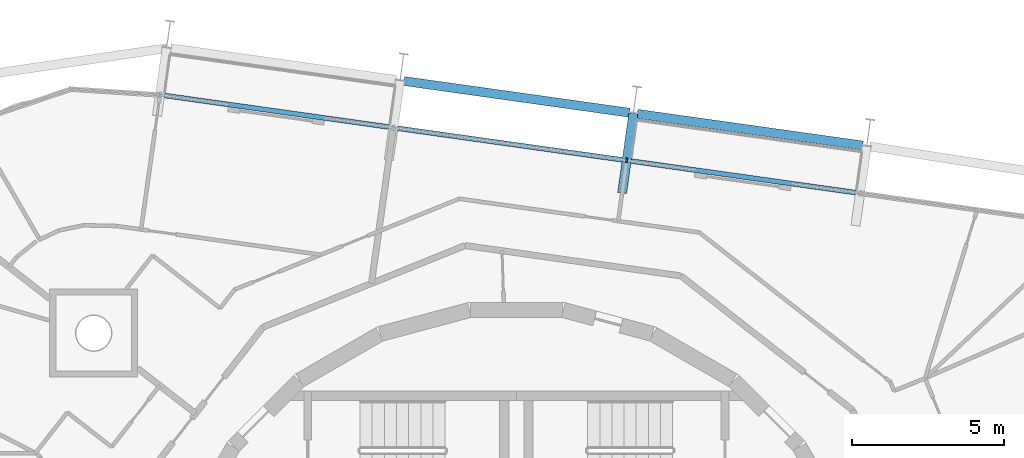
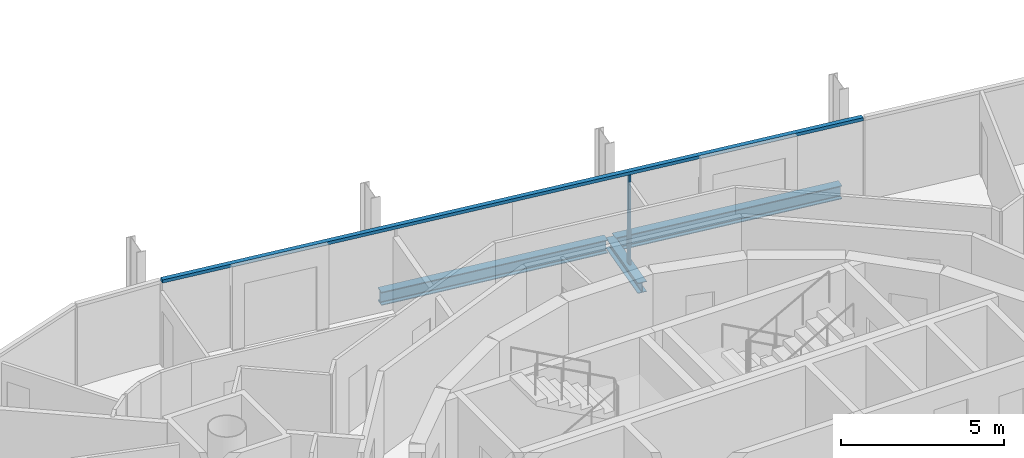
# One storey, part 6 of 15: 3 beams, 2 members, 1 element without a shape of its own.
"""IFC4 building model written with IfcOpenShell, lengths in metres."""

import ifcopenshell
import ifcopenshell.guid

model = None  # the IFC model being written
_history = None  # IfcOwnerHistory: only IFC2X3 demands one
_inside = {}  # id of a spatial element -> (the spatial element, [elements in it])
_under = {}  # id of a project, library or spatial element -> (it, [spatial elements below it])
_declared = {}  # id of a project -> (the project, [libraries it declares])
_typed = {}  # id of a type object -> (the type object, [elements of that type])
_made_of = {}  # id of a material, layer set ... -> (it, [elements and type objects made of it])


def new_model(schema):
    """Start an empty IFC model of exactly this schema.

    Asked for "IFC4X3", IfcOpenShell would pick the latest addendum, in which some entities
    have other attributes; the version numbers below select the first issue.
    IFC2X3 requires an IfcOwnerHistory on every rooted entity: one is made here for all.
    """
    global model, _history
    if schema == "IFC4X3":
        model = ifcopenshell.file(schema_version=(4, 3, 0, 0))
    else:
        model = ifcopenshell.file(schema=schema)
    _inside.clear()
    _under.clear()
    _declared.clear()
    _typed.clear()
    _made_of.clear()
    _history = None
    if model.schema == "IFC2X3":
        org = make("IfcOrganization", Name="unknown")
        user = make(
            "IfcPersonAndOrganization",
            ThePerson=make("IfcPerson", FamilyName="unknown"),
            TheOrganization=org,
        )
        app = make(
            "IfcApplication",
            ApplicationDeveloper=org,
            Version="unknown",
            ApplicationFullName="unknown",
            ApplicationIdentifier="unknown",
        )
        _history = make(
            "IfcOwnerHistory",
            OwningUser=user,
            OwningApplication=app,
            ChangeAction="ADDED",
            CreationDate=0,
        )
    return model


def make(cls, **values):
    """One entity of the class cls with the attributes given. An attribute that is None is left unset."""
    return model.create_entity(
        cls, **{name: value for name, value in values.items() if value is not None}
    )


def rooted(cls, **values):
    """An entity with a GlobalId (a new one), such as an element, a storey or a relation."""
    return make(cls, GlobalId=ifcopenshell.guid.new(), OwnerHistory=_history, **values)


def si_unit(unit_type, name, prefix=None):
    """IfcSIUnit, for example si_unit("LENGTHUNIT", "METRE", prefix="MILLI")."""
    return make("IfcSIUnit", UnitType=unit_type, Prefix=prefix, Name=name)


def assignment(units):
    """IfcUnitAssignment: the units of a project."""
    return None if units is None else make("IfcUnitAssignment", Units=units)


def point(xyz):
    """IfcCartesianPoint."""
    return None if xyz is None else make("IfcCartesianPoint", Coordinates=xyz)


def direction(xyz):
    """IfcDirection."""
    return None if xyz is None else make("IfcDirection", DirectionRatios=xyz)


def frame(location, z_axis=None, x_axis=None):
    """IfcAxis2Placement3D, a coordinate frame: its origin and axes. An axis left out is left unset."""
    return make(
        "IfcAxis2Placement3D",
        Location=point(location),
        Axis=direction(z_axis),
        RefDirection=direction(x_axis),
    )


def frame_2d(location, x_axis=None):
    """IfcAxis2Placement2D, a coordinate frame in the plane: its origin and x axis."""
    return make(
        "IfcAxis2Placement2D", Location=point(location), RefDirection=direction(x_axis)
    )


def origin():
    """The frame at (0, 0, 0) with its axes left unset."""
    return frame((0.0, 0.0, 0.0))


def origin_2d():
    """The frame at (0, 0) in the plane with its x axis left unset."""
    return frame_2d((0.0, 0.0))


def place(relative_to, where):
    """IfcLocalPlacement: puts the frame where relative to a parent placement (None: the world)."""
    return make(
        "IfcLocalPlacement", PlacementRelTo=relative_to, RelativePlacement=where
    )


def context(
    kind, dimensions, precision=None, world=None, true_north=None, identifier=None
):
    """IfcGeometricRepresentationContext, for example the 3D "Model" context."""
    return make(
        "IfcGeometricRepresentationContext",
        ContextIdentifier=identifier,
        ContextType=kind,
        CoordinateSpaceDimension=dimensions,
        Precision=precision,
        WorldCoordinateSystem=world,
        TrueNorth=true_north,
    )


def subcontext(parent, identifier, kind, view, scale=None):
    """IfcGeometricRepresentationSubContext, for example "Body" below "Model"."""
    return make(
        "IfcGeometricRepresentationSubContext",
        ContextIdentifier=identifier,
        ContextType=kind,
        ParentContext=parent,
        TargetScale=scale,
        TargetView=view,
    )


def project(units=None, contexts=None):
    """IfcProject with its units and contexts."""
    return rooted(
        "IfcProject",
        Name="project",
        RepresentationContexts=contexts,
        UnitsInContext=assignment(units),
    )


def spatial(cls, under=None, at=None, **own):
    """A site, building, storey or space (cls), placed at a placement, below another one or the project."""
    s = rooted(cls, ObjectPlacement=at, **own)
    if under is not None:
        _under.setdefault(under.id(), (under, []))[1].append(s)
    return s


def profile(cls, at=None, kind="AREA", **sizes):
    """A parametric profile (cls). Its sizes go by their IFC names, for example OverallWidth=200.0."""
    return make(cls, ProfileType=kind, Position=at, **sizes)


def rectangle(**sizes):
    """IfcRectangleProfileDef."""
    return profile("IfcRectangleProfileDef", **sizes)


def i_section(**sizes):
    """IfcIShapeProfileDef."""
    return profile("IfcIShapeProfileDef", **sizes)


def extrude(swept, where, along, depth):
    """IfcExtrudedAreaSolid: the profile swept, set in the frame where, extruded along a direction by depth."""
    return make(
        "IfcExtrudedAreaSolid",
        SweptArea=swept,
        Position=where,
        ExtrudedDirection=direction(along),
        Depth=depth,
    )


def shape(context_of_items, identifier, shape_type, items):
    """IfcShapeRepresentation: the items that make up one representation, for example the "Body"."""
    return make(
        "IfcShapeRepresentation",
        ContextOfItems=context_of_items,
        RepresentationIdentifier=identifier,
        RepresentationType=shape_type,
        Items=items,
    )


def material(Name=None, Category=None):
    """IfcMaterial."""
    return make("IfcMaterial", Name=Name, Category=Category)


def layer(
    of_material, thickness, ventilated=None, Name=None, Category=None, Priority=None
):
    """IfcMaterialLayer: one layer of a wall or slab, of a material (None: an air gap)."""
    return make(
        "IfcMaterialLayer",
        Material=of_material,
        LayerThickness=thickness,
        IsVentilated=ventilated,
        Name=Name,
        Category=Category,
        Priority=Priority,
    )


def layer_set(layers, Name=None):
    """IfcMaterialLayerSet."""
    return make("IfcMaterialLayerSet", MaterialLayers=layers, LayerSetName=Name)


def material_profile(
    of_material, cross_section, Name=None, Category=None, Priority=None
):
    """IfcMaterialProfile: a cross section and its material."""
    return make(
        "IfcMaterialProfile",
        Name=Name,
        Material=of_material,
        Profile=cross_section,
        Priority=Priority,
        Category=Category,
    )


def profile_set(profiles, Name=None, composite=None):
    """IfcMaterialProfileSet."""
    return make(
        "IfcMaterialProfileSet",
        Name=Name,
        MaterialProfiles=profiles,
        CompositeProfile=composite,
    )


def made_of(thing, what):
    """Note that an element or type object is made of a material, layer set ...; save() writes the relation."""
    if what is not None:
        _made_of.setdefault(what.id(), (what, []))[1].append(thing)
    return thing


def type_object(cls, material=None, **own):
    """A type object (cls), such as IfcWallType, which elements share."""
    return made_of(rooted(cls, **own), material)


def element(
    cls,
    number,
    at=None,
    inside=None,
    cuts=None,
    type_object=None,
    material=None,
    context=None,
    identifier="Body",
    shape_type=None,
    held_by="IfcProductDefinitionShape",
    body=None,
    shapes=None,
    **own,
):
    """One element of the class cls, such as IfcWall. Its Tag is "e" and its number.

    at: its placement. inside: the storey or other place that contains it. cuts: it is an
    opening in that element (IfcRelVoidsElement). A single representation is given by context,
    identifier, shape_type and body (its items); several are given by shapes. held_by: the class
    of the entity that holds the representations. save() writes the other relations.
    """
    e = rooted(cls, Tag="e%d" % number, ObjectPlacement=at, **own)
    if body is not None:
        shapes = [shape(context, identifier, shape_type, body)]
    if shapes is not None:
        e.Representation = make(held_by, Representations=shapes)
    if inside is not None:
        _inside.setdefault(inside.id(), (inside, []))[1].append(e)
    if cuts is not None:
        rooted(
            "IfcRelVoidsElement", RelatingBuildingElement=cuts, RelatedOpeningElement=e
        )
    if type_object is not None:
        _typed.setdefault(type_object.id(), (type_object, []))[1].append(e)
    return made_of(e, material)


def aggregate(whole, parts):
    """IfcRelAggregates: a whole, such as a stair, and the parts it consists of."""
    return rooted("IfcRelAggregates", RelatingObject=whole, RelatedObjects=parts)


def save(model, path):
    """Write the relations noted so far, then the file.

    IfcRelAggregates (storeys below a building ...), IfcRelContainedInSpatialStructure (elements
    in a storey), IfcRelDefinesByType, IfcRelAssociatesMaterial and IfcRelDeclares: one each for
    every whole, place, type object, material and project.
    """
    for whole, parts in _under.values():
        aggregate(whole, parts)
    for where, things in _inside.values():
        rooted(
            "IfcRelContainedInSpatialStructure",
            RelatedElements=things,
            RelatingStructure=where,
        )
    for kind, things in _typed.values():
        rooted("IfcRelDefinesByType", RelatedObjects=things, RelatingType=kind)
    for what, things in _made_of.values():
        rooted("IfcRelAssociatesMaterial", RelatedObjects=things, RelatingMaterial=what)
    for by, libraries in _declared.values():
        rooted("IfcRelDeclares", RelatingContext=by, RelatedDefinitions=libraries)
    model.write(path)


model = new_model("IFC4")

# Units and contexts
model_context = context("Model", 3, precision=1e-05, world=origin(), true_north=direction((0.0, 1.0)))
body_context = subcontext(model_context, "Body", "Model", "MODEL_VIEW")
ifc_project = project(units=[si_unit("LENGTHUNIT", "METRE"), si_unit("AREAUNIT", "SQUARE_METRE"), si_unit("VOLUMEUNIT", "CUBIC_METRE"), si_unit("PLANEANGLEUNIT", "RADIAN"), si_unit("MASSUNIT", "GRAM", prefix="KILO")], contexts=[model_context])

# Site, building, storey
site_placement = place(None, origin())
site = spatial("IfcSite", under=ifc_project, at=site_placement, CompositionType="ELEMENT")
building_placement = place(site_placement, origin())
building = spatial("IfcBuilding", under=site, at=building_placement, Name="Spindle Arch Residences", CompositionType="ELEMENT")
storey_placement = place(building_placement, frame((0.0, 0.0, 336.5)))
storey = spatial("IfcBuildingStorey", under=building, at=storey_placement, Name="L86", CompositionType="ELEMENT", Elevation=336.5)

# Curtain wall, members
ifc_material_1 = material(Name="Aluminium bronze unitised frame with tinted glass", Category="aluminium")
ifc_layer = layer(ifc_material_1, 0.159912109375)
ifc_layer_set = layer_set([ifc_layer], Name="CW-C typical residential unitised wall")
curtain_wall_type = type_object("IfcCurtainWallType", Name="CW-C typical residential unitised wall", PredefinedType="NOTDEFINED", material=ifc_layer_set)
curtain_wall_placement = place(storey_placement, origin())
curtain_wall = element("IfcCurtainWall", 1, at=curtain_wall_placement, inside=storey, type_object=curtain_wall_type, Name="CW-C L86 run 2", PredefinedType="NOTDEFINED")
ifc_material_2 = material(Name="Aluminium bronze anodised mullion", Category="aluminium")
ifc_material_profile_1 = material_profile(ifc_material_2, rectangle(XDim=0.159912109375, YDim=0.06005859375, at=origin_2d()), Name="MU 60x160")
ifc_profile_set_1 = profile_set([ifc_material_profile_1], Name="Aluminium bronze anodised mullion")
member_type_1 = type_object("IfcMemberType", Name="Bronze mullion 60x160", PredefinedType="MULLION", material=ifc_profile_set_1)
member_1_placement = place(storey_placement, frame((3.63623046875, 16.57373046875, -0.3798828125), z_axis=(0.0, 0.0, 1.0), x_axis=(-0.13917310096, -0.990268068742, 0.0)))
member_1 = element("IfcMember", 2, at=member_1_placement, type_object=member_type_1, Name="CW-C mullion 06", PredefinedType="MULLION", context=body_context, shape_type="SweptSolid", body=[
    extrude(rectangle(XDim=0.159912109375, YDim=0.06005859375, at=origin_2d()), origin(), (0.0, 0.0, 1.0), 3.3798828125),
])
ifc_material_3 = material(Name="Aluminium bronze anodised transom", Category="aluminium")
ifc_material_profile_2 = material_profile(ifc_material_3, rectangle(XDim=0.159912109375, YDim=0.1201171875, at=origin_2d()), Name="TR 120x160")
ifc_profile_set_2 = profile_set([ifc_material_profile_2], Name="Aluminium bronze anodised transom")
member_type_2 = type_object("IfcMemberType", Name="Bronze transom 120x160", PredefinedType="USERDEFINED", material=ifc_profile_set_2)
member_2_placement = place(storey_placement, frame((11.296630859375, 15.4970703125, 3.06005859375), z_axis=(-0.990268437621, 0.13917047622, 0.0), x_axis=(-0.13917047622, -0.990268437621, 0.0)))
member_2 = element("IfcMember", 3, at=member_2_placement, type_object=member_type_2, Name="CW-C transom 00", ObjectType="TRANSOM", PredefinedType="USERDEFINED", context=body_context, shape_type="SweptSolid", body=[
    extrude(rectangle(XDim=0.159912109375, YDim=0.1201171875, at=origin_2d()), origin(), (0.0, 0.0, 1.0), 23.23681640625),
])
aggregate(curtain_wall, [member_2, member_1])

# Beams
ifc_material_4 = material(Name="Steel S460ML, intumescent coating R 120", Category="steel")
ifc_material_profile_3 = material_profile(ifc_material_4, i_section(OverallWidth=0.300048828125, OverallDepth=0.5, WebThickness=0.014404296875, FlangeThickness=0.028076171875, FilletRadius=0.027099609375, at=origin_2d()), Name="HEB 500")
ifc_profile_set_3 = profile_set([ifc_material_profile_3], Name="Steel S460ML, intumescent coating R 120")
beam_type_1 = type_object("IfcBeamType", Name="Exoskeleton edge beam HEB 500", PredefinedType="BEAM", material=ifc_profile_set_3)
for number, where, z_axis, x_axis, name in (
    (4, (11.416015625, 17.065673828125, -0.6298828125), (-0.990266388354, 0.139185057015, 0.0), (-0.139185057015, -0.990266388354, 0.0), "Exoskeleton edge beam 6"),
    (5, (3.72607421875, 18.146484375, -0.6298828125), (-0.990270871131, 0.139153159463, 0.0), (-0.139153159463, -0.990270871131, 0.0), "Exoskeleton edge beam 7"),
):
    element("IfcBeam", number, at=place(storey_placement, frame(where, z_axis=z_axis, x_axis=x_axis)), inside=storey, type_object=beam_type_1, Name=name, PredefinedType="BEAM", context=body_context, shape_type="SweptSolid", body=[
        extrude(i_section(OverallWidth=0.300048828125, OverallDepth=0.5, WebThickness=0.014404296875, FlangeThickness=0.028076171875, FilletRadius=0.027099609375, at=origin_2d()), origin(), (0.0, 0.0, 1.0), 7.505615234375),
    ])
ifc_material_5 = material(Name="Steel S460ML, intumescent coating R 120", Category="steel")
ifc_material_profile_4 = material_profile(ifc_material_5, i_section(OverallWidth=0.300048828125, OverallDepth=0.389892578125, WebThickness=0.010986328125, FlangeThickness=0.01904296875, FilletRadius=0.027099609375, at=origin_2d()), Name="HEA 400")
ifc_profile_set_4 = profile_set([ifc_material_profile_4], Name="Steel S460ML, intumescent coating R 120")
beam_type_2 = type_object("IfcBeamType", Name="Floor outrigger HEA 400", PredefinedType="BEAM", material=ifc_profile_set_4)
beam_placement = place(storey_placement, frame((3.854736328125, 18.12841796875, -0.574951171875), z_axis=(-0.13911226088, -0.990276617351, 0.0), x_axis=(0.990276617351, -0.13911226088, 0.0)))
element("IfcBeam", 6, at=beam_placement, inside=storey, type_object=beam_type_2, Name="Floor outrigger 7", PredefinedType="BEAM", context=body_context, shape_type="SweptSolid", body=[
    extrude(i_section(OverallWidth=0.300048828125, OverallDepth=0.389892578125, WebThickness=0.010986328125, FlangeThickness=0.01904296875, FilletRadius=0.027099609375, at=origin_2d()), origin(), (0.0, 0.0, 1.0), 2.650146484375),
])

save(model, "model.ifc")
